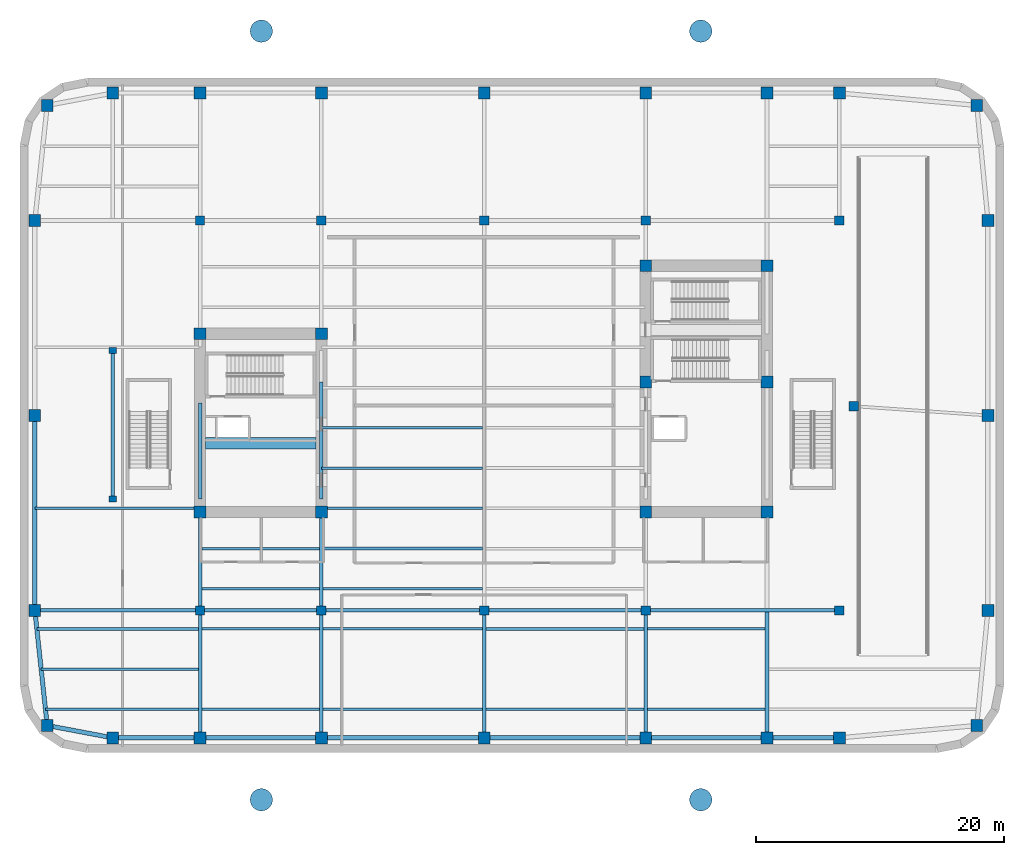
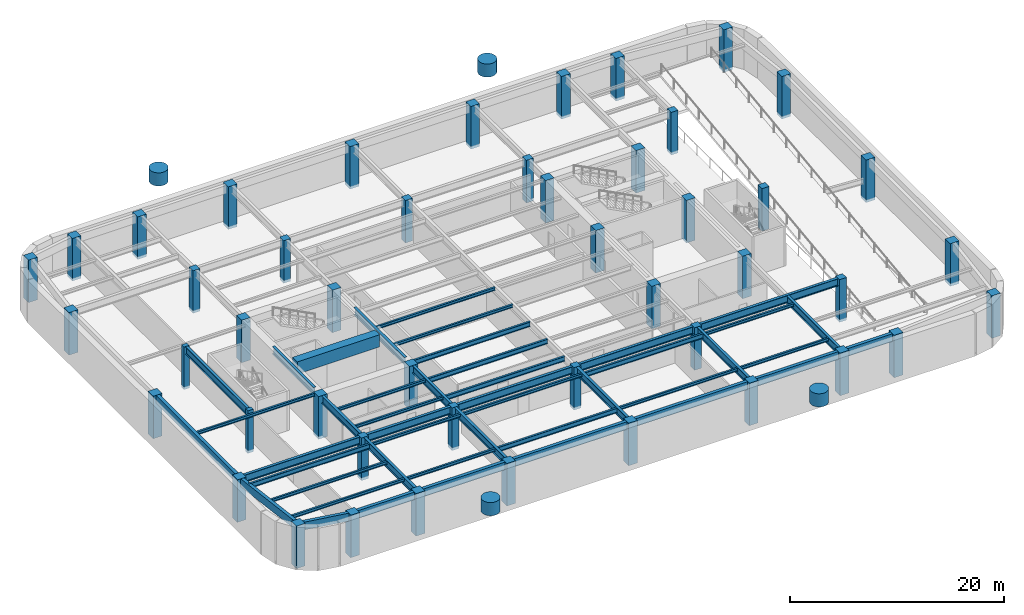
# One storey, part 1 of 12: 51 columns, 44 beams.
"""IFC4 building model written with IfcOpenShell, lengths in metres."""

from ifc_helpers import new_model, si_unit, direction, frame, origin, origin_2d, place, context, subcontext, project, spatial, rectangle, hollow_rectangle, circle, i_section, extrude, material, material_profile, profile_set, type_object, element, save


model = new_model("IFC4")

# Units and contexts
model_context = context("Model", 3, precision=1e-05, world=origin(), true_north=direction((0.0, 1.0)))
body_context = subcontext(model_context, "Body", "Model", "MODEL_VIEW")
ifc_project = project(units=[si_unit("LENGTHUNIT", "METRE"), si_unit("AREAUNIT", "SQUARE_METRE"), si_unit("VOLUMEUNIT", "CUBIC_METRE"), si_unit("PLANEANGLEUNIT", "RADIAN"), si_unit("MASSUNIT", "GRAM", prefix="KILO")], contexts=[model_context])

# Site, building, storey
site_placement = place(None, origin())
site = spatial("IfcSite", under=ifc_project, at=site_placement, CompositionType="ELEMENT")
building_placement = place(site_placement, origin())
building = spatial("IfcBuilding", under=site, at=building_placement, Name="Kolvaren Arena Tower", CompositionType="ELEMENT")
storey_placement = place(building_placement, frame((0.0, 0.0, -5.0)))
storey = spatial("IfcBuildingStorey", under=building, at=storey_placement, Name="B01", CompositionType="ELEMENT", Elevation=-5.0)

# Columns
ifc_material_1 = material(Name="Concrete 60 MPa", Category="concrete")
ifc_material_profile_1 = material_profile(ifc_material_1, rectangle(XDim=0.949951171875, YDim=0.949951171875, at=origin_2d()), Name="RC-950x950")
ifc_profile_set_1 = profile_set([ifc_material_profile_1], Name="Concrete 60 MPa")
column_type_1 = type_object("IfcColumnType", Name="PCOL-B1", PredefinedType="COLUMN", material=ifc_profile_set_1)
for number, where, z_axis, x_axis, name in (
    (1, (14.550048828125, 19.449951171875, -0.31005859375), (0.0, 0.0, 1.0), (1.0, 0.0, 0.0), "Core Boundary Column WC-SW (B01)"),
    (2, (24.35009765625, 19.449951171875, -0.31005859375), (0.0, 0.0, 1.0), (1.0, 0.0, 0.0), "Core Boundary Column WC-SE (B01)"),
    (3, (14.550048828125, 33.85009765625, -0.31005859375), (0.0, 0.0, 1.0), (1.0, 0.0, 0.0), "Core Boundary Column WC-NW (B01)"),
    (4, (24.35009765625, 33.85009765625, -0.31005859375), (0.0, 0.0, 1.0), (1.0, 0.0, 0.0), "Core Boundary Column WC-NE (B01)"),
    (5, (50.550048828125, 19.449951171875, -0.31005859375), (0.0, 0.0, 1.0), (1.0, 0.0, 0.0), "Core Boundary Column EC-SW (B01)"),
    (6, (60.35009765625, 19.449951171875, -0.31005859375), (0.0, 0.0, 1.0), (1.0, 0.0, 0.0), "Core Boundary Column EC-SE (B01)"),
    (7, (50.550048828125, 29.949951171875, -0.31005859375), (0.0, 0.0, 1.0), (1.0, 0.0, 0.0), "Core Boundary Column EC-MW (B01)"),
    (8, (60.35009765625, 29.949951171875, -0.31005859375), (0.0, 0.0, 1.0), (1.0, 0.0, 0.0), "Core Boundary Column EC-ME (B01)"),
    (9, (50.550048828125, 39.35009765625, -0.31005859375), (0.0, 0.0, 1.0), (1.0, 0.0, 0.0), "Core Boundary Column EC-NW (B01)"),
    (10, (60.35009765625, 39.35009765625, -0.31005859375), (0.0, 0.0, 1.0), (1.0, 0.0, 0.0), "Core Boundary Column EC-NE (B01)"),
    (11, (2.199951171875, 2.199951171875, -0.31005859375), (0.0, 0.0, 1.0), (1.0, 0.0, 0.0), "Podium Perimeter Column PS-C0 (B01)"),
    (12, (7.5, 1.199951171875, -0.31005859375), (0.0, 0.0, 1.0), (1.0, 0.0, 0.0), "Podium Perimeter Column PS-01 (B01)"),
    (13, (14.550048828125, 1.199951171875, -0.31005859375), (0.0, 0.0, 1.0), (1.0, 0.0, 0.0), "Podium Perimeter Column PS-02 (B01)"),
    (14, (24.35009765625, 1.199951171875, -0.31005859375), (0.0, 0.0, 1.0), (1.0, 0.0, 0.0), "Podium Perimeter Column PS-03 (B01)"),
    (15, (37.5, 1.199951171875, -0.31005859375), (0.0, 0.0, 1.0), (1.0, 0.0, 0.0), "Podium Perimeter Column PS-04 (B01)"),
    (16, (50.550048828125, 1.199951171875, -0.31005859375), (0.0, 0.0, 1.0), (1.0, 0.0, 0.0), "Podium Perimeter Column PS-05 (B01)"),
    (17, (60.35009765625, 1.199951171875, -0.31005859375), (0.0, 0.0, 1.0), (1.0, 0.0, 0.0), "Podium Perimeter Column PS-06 (B01)"),
    (18, (66.199951171875, 1.199951171875, -0.31005859375), (0.0, 0.0, 1.0), (1.0, 0.0, 0.0), "Podium Perimeter Column PS-07 (B01)"),
    (19, (77.300048828125, 2.199951171875, -0.31005859375), (0.0, 0.0, 1.0), (1.0, 0.0, 0.0), "Podium Perimeter Column PE-C0 (B01)"),
    (20, (78.199951171875, 11.5, -0.31005859375), (0.0, 0.0, 1.0), (1.0, 0.0, 0.0), "Podium Perimeter Column PE-01 (B01)"),
    (21, (78.199951171875, 27.25, -0.31005859375), (0.0, 0.0, 1.0), (1.0, 0.0, 0.0), "Podium Perimeter Column PE-02 (B01)"),
    (22, (78.199951171875, 43.0, -0.31005859375), (0.0, 0.0, 1.0), (1.0, 0.0, 0.0), "Podium Perimeter Column PE-03 (B01)"),
    (23, (77.300048828125, 52.300048828125, -0.31005859375), (0.0, 0.0, 1.0), (1.0, 0.0, 0.0), "Podium Perimeter Column PN-C1 (B01)"),
    (24, (66.199951171875, 53.300048828125, -0.31005859375), (0.0, 0.0, 1.0), (1.0, 0.0, 0.0), "Podium Perimeter Column PN-07 (B01)"),
    (25, (60.35009765625, 53.300048828125, -0.31005859375), (0.0, 0.0, 1.0), (1.0, 0.0, 0.0), "Podium Perimeter Column PN-06 (B01)"),
    (26, (50.550048828125, 53.300048828125, -0.31005859375), (0.0, 0.0, 1.0), (1.0, 0.0, 0.0), "Podium Perimeter Column PN-05 (B01)"),
    (27, (37.5, 53.300048828125, -0.31005859375), (0.0, 0.0, 1.0), (1.0, 0.0, 0.0), "Podium Perimeter Column PN-04 (B01)"),
    (28, (24.35009765625, 53.300048828125, -0.31005859375), (0.0, 0.0, 1.0), (1.0, 0.0, 0.0), "Podium Perimeter Column PN-03 (B01)"),
    (29, (14.550048828125, 53.300048828125, -0.31005859375), (0.0, 0.0, 1.0), (1.0, 0.0, 0.0), "Podium Perimeter Column PN-02 (B01)"),
    (30, (7.5, 53.300048828125, -0.31005859375), (0.0, 0.0, 1.0), (1.0, 0.0, 0.0), "Podium Perimeter Column PN-01 (B01)"),
    (31, (2.199951171875, 52.300048828125, -0.31005859375), (0.0, 0.0, 1.0), (1.0, 0.0, 0.0), "Podium Perimeter Column PN-C0 (B01)"),
    (32, (1.199951171875, 43.0, -0.31005859375), (0.0, 0.0, 1.0), (1.0, 0.0, 0.0), "Podium Perimeter Column PW-03 (B01)"),
    (33, (1.199951171875, 27.25, -0.31005859375), (0.0, 0.0, 1.0), (1.0, 0.0, 0.0), "Podium Perimeter Column PW-02 (B01)"),
    (34, (1.199951171875, 11.5, -0.31005859375), (0.0, 0.0, 1.0), (1.0, 0.0, 0.0), "Podium Perimeter Column PW-01 (B01)"),
):
    element("IfcColumn", number, at=place(storey_placement, frame(where, z_axis=z_axis, x_axis=x_axis)), inside=storey, type_object=column_type_1, Name=name, PredefinedType="COLUMN", context=body_context, shape_type="SweptSolid", body=[
        extrude(rectangle(XDim=0.949951171875, YDim=0.949951171875, at=origin_2d()), origin(), (0.0, 0.0, 1.0), 4.860107421875),
    ])
ifc_material_profile_2 = material_profile(ifc_material_1, rectangle(XDim=0.75, YDim=0.75, at=origin_2d()), Name="RC-750x750")
ifc_profile_set_2 = profile_set([ifc_material_profile_2], Name="Concrete 60 MPa")
column_type_2 = type_object("IfcColumnType", Name="PCOL-B2", PredefinedType="COLUMN", material=ifc_profile_set_2)
for number, where, z_axis, x_axis, name in (
    (35, (14.550048828125, 11.5, -0.31005859375), (0.0, 0.0, 1.0), (1.0, 0.0, 0.0), "Concourse Structural Column PB-S1 (B01)"),
    (36, (24.35009765625, 11.5, -0.31005859375), (0.0, 0.0, 1.0), (1.0, 0.0, 0.0), "Concourse Structural Column PB-S2 (B01)"),
    (37, (37.5, 11.5, -0.31005859375), (0.0, 0.0, 1.0), (1.0, 0.0, 0.0), "Concourse Structural Column PB-S3 (B01)"),
    (38, (50.550048828125, 11.5, -0.31005859375), (0.0, 0.0, 1.0), (1.0, 0.0, 0.0), "Concourse Structural Column PB-S4 (B01)"),
    (39, (66.199951171875, 11.5, -0.31005859375), (0.0, 0.0, 1.0), (1.0, 0.0, 0.0), "Concourse Structural Column PB-S5 (B01)"),
    (40, (14.550048828125, 43.0, -0.31005859375), (0.0, 0.0, 1.0), (1.0, 0.0, 0.0), "Concourse Structural Column PB-N1 (B01)"),
    (41, (24.35009765625, 43.0, -0.31005859375), (0.0, 0.0, 1.0), (1.0, 0.0, 0.0), "Concourse Structural Column PB-N2 (B01)"),
    (42, (37.5, 43.0, -0.31005859375), (0.0, 0.0, 1.0), (1.0, 0.0, 0.0), "Concourse Structural Column PB-N3 (B01)"),
    (43, (50.550048828125, 43.0, -0.31005859375), (0.0, 0.0, 1.0), (1.0, 0.0, 0.0), "Concourse Structural Column PB-N4 (B01)"),
    (44, (66.199951171875, 43.0, -0.31005859375), (0.0, 0.0, 1.0), (1.0, 0.0, 0.0), "Concourse Structural Column PB-N5 (B01)"),
    (45, (67.35009765625, 28.0, -0.31005859375), (0.0, 0.0, 1.0), (1.0, 0.0, 0.0), "Vehicle Ramp Mid-Span Column (B01)"),
):
    element("IfcColumn", number, at=place(storey_placement, frame(where, z_axis=z_axis, x_axis=x_axis)), inside=storey, type_object=column_type_2, Name=name, PredefinedType="COLUMN", context=body_context, shape_type="SweptSolid", body=[
        extrude(rectangle(XDim=0.75, YDim=0.75, at=origin_2d()), origin(), (0.0, 0.0, 1.0), 4.860107421875),
    ])
ifc_material_2 = material(Name="Precast concrete C50/60", Category="concrete")
ifc_material_profile_3 = material_profile(ifc_material_2, rectangle(XDim=0.60009765625, YDim=0.449951171875, at=origin_2d()), Name="RC-600x450")
ifc_profile_set_3 = profile_set([ifc_material_profile_3], Name="Precast concrete C50/60")
column_type_3 = type_object("IfcColumnType", Name="PIL-01", PredefinedType="PILASTER", material=ifc_profile_set_3)
for number, where, z_axis, x_axis, name in (
    (46, (7.5, 20.5, -0.31005859375), (0.0, 0.0, 1.0), (1.0, 0.0, 0.0), "Concourse Structural Pilaster 1 (B01)"),
    (47, (7.5, 32.5, -0.31005859375), (0.0, 0.0, 1.0), (1.0, 0.0, 0.0), "Concourse Structural Pilaster 2 (B01)"),
):
    element("IfcColumn", number, at=place(storey_placement, frame(where, z_axis=z_axis, x_axis=x_axis)), inside=storey, type_object=column_type_3, Name=name, PredefinedType="PILASTER", context=body_context, shape_type="SweptSolid", body=[
        extrude(rectangle(XDim=0.60009765625, YDim=0.449951171875, at=origin_2d()), origin(), (0.0, 0.0, 1.0), 4.860107421875),
    ])
ifc_material_3 = material(Name="Concrete 80 MPa", Category="concrete")
ifc_material_profile_4 = material_profile(ifc_material_3, circle(Radius=0.89990234375, at=origin_2d()), Name="RC-CIRC-1800")
ifc_profile_set_4 = profile_set([ifc_material_profile_4], Name="Concrete 80 MPa")
column_type_4 = type_object("IfcColumnType", Name="STILT-C2", PredefinedType="COLUMN", material=ifc_profile_set_4)
for number, where, z_axis, x_axis, name in (
    (48, (19.5, -3.800048828125, 3.5), (0.0, 0.0, 1.0), (1.0, 0.0, 0.0), "Frost-Depth Stilt Pedestal PF-S1"),
    (49, (55.0, -3.800048828125, 3.5), (0.0, 0.0, 1.0), (1.0, 0.0, 0.0), "Frost-Depth Stilt Pedestal PF-S2"),
    (50, (19.5, 58.300048828125, 3.5), (0.0, 0.0, 1.0), (1.0, 0.0, 0.0), "Frost-Depth Stilt Pedestal PF-N1"),
    (51, (55.0, 58.300048828125, 3.5), (0.0, 0.0, 1.0), (1.0, 0.0, 0.0), "Frost-Depth Stilt Pedestal PF-N2"),
):
    element("IfcColumn", number, at=place(storey_placement, frame(where, z_axis=z_axis, x_axis=x_axis)), inside=storey, type_object=column_type_4, Name=name, PredefinedType="COLUMN", context=body_context, shape_type="SweptSolid", body=[
        extrude(circle(Radius=0.89990234375, at=origin_2d()), origin(), (0.0, 0.0, 1.0), 1.5),
    ])

# Beams
ifc_material_4 = material(Name="Steel CSA G40.21 350W", Category="steel")
ifc_material_profile_5 = material_profile(ifc_material_4, i_section(OverallWidth=0.2119140625, OverallDepth=0.54296875, WebThickness=0.01318359375, FlangeThickness=0.0244140625, FilletRadius=0.013916015625, at=origin_2d()), Name="W530x150")
ifc_profile_set_5 = profile_set([ifc_material_profile_5], Name="Steel CSA G40.21 350W")
beam_type_1 = type_object("IfcBeamType", Name="BEAM-F1", PredefinedType="BEAM", material=ifc_profile_set_5)
beam_1_placement = place(storey_placement, frame((24.49609375, 3.5, 4.278564453125), z_axis=(1.0, 0.0, 0.0), x_axis=(0.0, 1.0, 0.0)))
element("IfcBeam", 52, at=beam_1_placement, inside=storey, type_object=beam_type_1, Name="Composite Floor Beam (B01)", PredefinedType="BEAM", context=body_context, shape_type="SweptSolid", body=[
    extrude(i_section(OverallWidth=0.2119140625, OverallDepth=0.54296875, WebThickness=0.01318359375, FlangeThickness=0.0244140625, FilletRadius=0.013916015625, at=origin_2d()), origin(), (0.0, 0.0, 1.0), 12.85791015625),
])
beam_2_placement = place(storey_placement, frame((1.361328125, 10.0, 4.278564453125), z_axis=(1.0, 0.0, 0.0), x_axis=(0.0, 1.0, 0.0)))
element("IfcBeam", 53, at=beam_2_placement, inside=storey, type_object=beam_type_1, Name="Composite Floor Beam (B01)", PredefinedType="BEAM", context=body_context, shape_type="SweptSolid", body=[
    extrude(i_section(OverallWidth=0.2119140625, OverallDepth=0.54296875, WebThickness=0.01318359375, FlangeThickness=0.0244140625, FilletRadius=0.013916015625, at=origin_2d()), origin(), (0.0, 0.0, 1.0), 13.042724609375),
])
beam_3_placement = place(storey_placement, frame((37.64599609375, 10.0, 4.278564453125), z_axis=(1.0, 0.0, 0.0), x_axis=(0.0, 1.0, 0.0)))
element("IfcBeam", 54, at=beam_3_placement, inside=storey, type_object=beam_type_1, Name="Composite Floor Beam (B01)", PredefinedType="BEAM", context=body_context, shape_type="SweptSolid", body=[
    extrude(i_section(OverallWidth=0.2119140625, OverallDepth=0.54296875, WebThickness=0.01318359375, FlangeThickness=0.0244140625, FilletRadius=0.013916015625, at=origin_2d()), origin(), (0.0, 0.0, 1.0), 12.758056640625),
])
for number, where, z_axis, x_axis, name in (
    (55, (24.49609375, 13.25, 4.278564453125), (1.0, 0.0, 0.0), (0.0, 1.0, 0.0), "Composite Floor Beam (B01)"),
    (56, (24.49609375, 16.5, 4.278564453125), (1.0, 0.0, 0.0), (0.0, 1.0, 0.0), "Composite Floor Beam (B01)"),
):
    element("IfcBeam", number, at=place(storey_placement, frame(where, z_axis=z_axis, x_axis=x_axis)), inside=storey, type_object=beam_type_1, Name=name, PredefinedType="BEAM", context=body_context, shape_type="SweptSolid", body=[
        extrude(i_section(OverallWidth=0.2119140625, OverallDepth=0.54296875, WebThickness=0.01318359375, FlangeThickness=0.0244140625, FilletRadius=0.013916015625, at=origin_2d()), origin(), (0.0, 0.0, 1.0), 12.85791015625),
    ])
beam_4_placement = place(storey_placement, frame((24.3701171875, 19.75, 4.278564453125), z_axis=(1.0, 0.0, 0.0), x_axis=(0.0, 1.0, 0.0)))
element("IfcBeam", 57, at=beam_4_placement, inside=storey, type_object=beam_type_1, Name="Composite Floor Beam (B01)", PredefinedType="BEAM", context=body_context, shape_type="SweptSolid", body=[
    extrude(i_section(OverallWidth=0.2119140625, OverallDepth=0.54296875, WebThickness=0.01318359375, FlangeThickness=0.0244140625, FilletRadius=0.013916015625, at=origin_2d()), origin(), (0.0, 0.0, 1.0), 12.98388671875),
])
ifc_material_5 = material(Name="Concrete 75 MPa", Category="concrete")
ifc_material_profile_6 = material_profile(ifc_material_5, rectangle(XDim=0.89990234375, YDim=1.39990234375, at=origin_2d()), Name="RC-900x1400")
ifc_profile_set_6 = profile_set([ifc_material_profile_6], Name="Concrete 75 MPa")
beam_type_2 = type_object("IfcBeamType", Name="CB-CORE-1", PredefinedType="BEAM", material=ifc_profile_set_6)
beam_5_placement = place(storey_placement, frame((15.0, 25.0, 4.1201171875), z_axis=(1.0, 0.0, 0.0), x_axis=(0.0, 1.0, 0.0)))
element("IfcBeam", 58, at=beam_5_placement, inside=storey, type_object=beam_type_2, Name="West Core Coupling Beam (B01)", PredefinedType="BEAM", context=body_context, shape_type="SweptSolid", body=[
    extrude(rectangle(XDim=0.89990234375, YDim=1.39990234375, at=origin_2d()), origin(), (0.0, 0.0, 1.0), 8.89990234375),
])
ifc_material_profile_7 = material_profile(ifc_material_4, i_section(OverallWidth=0.2919921875, OverallDepth=0.85498046875, WebThickness=0.02099609375, FlangeThickness=0.03564453125, FilletRadius=0.01806640625, at=origin_2d()), Name="W840x299")
ifc_profile_set_7 = profile_set([ifc_material_profile_7], Name="Steel CSA G40.21 350W")
beam_type_3 = type_object("IfcBeamType", Name="GIRD-P1", PredefinedType="BEAM", material=ifc_profile_set_7)
beam_6_placement = place(storey_placement, frame((1.199951171875, 11.5, 4.12255859375), z_axis=(1.0, 0.0, 0.0), x_axis=(0.0, 1.0, 0.0)))
element("IfcBeam", 59, at=beam_6_placement, inside=storey, type_object=beam_type_3, Name="Primary Floor Girder (B01)", PredefinedType="BEAM", context=body_context, shape_type="SweptSolid", body=[
    extrude(i_section(OverallWidth=0.2919921875, OverallDepth=0.85498046875, WebThickness=0.02099609375, FlangeThickness=0.03564453125, FilletRadius=0.01806640625, at=origin_2d()), origin(), (0.0, 0.0, 1.0), 13.35009765625),
])
beam_7_placement = place(storey_placement, frame((14.550048828125, 11.5, 4.12255859375), z_axis=(1.0, 0.0, 0.0), x_axis=(0.0, 1.0, 0.0)))
element("IfcBeam", 60, at=beam_7_placement, inside=storey, type_object=beam_type_3, Name="Primary Floor Girder (B01)", PredefinedType="BEAM", context=body_context, shape_type="SweptSolid", body=[
    extrude(i_section(OverallWidth=0.2919921875, OverallDepth=0.85498046875, WebThickness=0.02099609375, FlangeThickness=0.03564453125, FilletRadius=0.01806640625, at=origin_2d()), origin(), (0.0, 0.0, 1.0), 9.800048828125),
])
beam_8_placement = place(storey_placement, frame((24.35009765625, 11.5, 4.12255859375), z_axis=(1.0, 0.0, 0.0), x_axis=(0.0, 1.0, 0.0)))
element("IfcBeam", 61, at=beam_8_placement, inside=storey, type_object=beam_type_3, Name="Primary Floor Girder (B01)", PredefinedType="BEAM", context=body_context, shape_type="SweptSolid", body=[
    extrude(i_section(OverallWidth=0.2919921875, OverallDepth=0.85498046875, WebThickness=0.02099609375, FlangeThickness=0.03564453125, FilletRadius=0.01806640625, at=origin_2d()), origin(), (0.0, 0.0, 1.0), 13.14990234375),
])
beam_9_placement = place(storey_placement, frame((37.5, 11.5, 4.12255859375), z_axis=(1.0, 0.0, 0.0), x_axis=(0.0, 1.0, 0.0)))
element("IfcBeam", 62, at=beam_9_placement, inside=storey, type_object=beam_type_3, Name="Primary Floor Girder (B01)", PredefinedType="BEAM", context=body_context, shape_type="SweptSolid", body=[
    extrude(i_section(OverallWidth=0.2919921875, OverallDepth=0.85498046875, WebThickness=0.02099609375, FlangeThickness=0.03564453125, FilletRadius=0.01806640625, at=origin_2d()), origin(), (0.0, 0.0, 1.0), 13.050048828125),
])
beam_10_placement = place(storey_placement, frame((50.550048828125, 11.5, 4.12255859375), z_axis=(1.0, 0.0, 0.0), x_axis=(0.0, 1.0, 0.0)))
element("IfcBeam", 63, at=beam_10_placement, inside=storey, type_object=beam_type_3, Name="Primary Floor Girder (B01)", PredefinedType="BEAM", context=body_context, shape_type="SweptSolid", body=[
    extrude(i_section(OverallWidth=0.2919921875, OverallDepth=0.85498046875, WebThickness=0.02099609375, FlangeThickness=0.03564453125, FilletRadius=0.01806640625, at=origin_2d()), origin(), (0.0, 0.0, 1.0), 15.64990234375),
])
beam_11_placement = place(storey_placement, frame((7.5, 20.5, 4.12255859375), z_axis=(0.0, 1.0, 0.0), x_axis=(-1.0, 0.0, 0.0)))
element("IfcBeam", 64, at=beam_11_placement, inside=storey, type_object=beam_type_3, Name="Primary Floor Girder (B01)", PredefinedType="BEAM", context=body_context, shape_type="SweptSolid", body=[
    extrude(i_section(OverallWidth=0.2919921875, OverallDepth=0.85498046875, WebThickness=0.02099609375, FlangeThickness=0.03564453125, FilletRadius=0.01806640625, at=origin_2d()), origin(), (0.0, 0.0, 1.0), 12.0),
])
beam_12_placement = place(storey_placement, frame((14.550048828125, 1.199951171875, 4.12255859375), z_axis=(0.0, 1.0, 0.0), x_axis=(-1.0, 0.0, 0.0)))
element("IfcBeam", 65, at=beam_12_placement, inside=storey, type_object=beam_type_3, Name="Primary Floor Girder (B01)", PredefinedType="BEAM", context=body_context, shape_type="SweptSolid", body=[
    extrude(i_section(OverallWidth=0.2919921875, OverallDepth=0.85498046875, WebThickness=0.02099609375, FlangeThickness=0.03564453125, FilletRadius=0.01806640625, at=origin_2d()), origin(), (0.0, 0.0, 1.0), 10.300048828125),
])
beam_13_placement = place(storey_placement, frame((14.550048828125, 11.5, 4.12255859375), z_axis=(0.0, 1.0, 0.0), x_axis=(-1.0, 0.0, 0.0)))
element("IfcBeam", 66, at=beam_13_placement, inside=storey, type_object=beam_type_3, Name="Primary Floor Girder (B01)", PredefinedType="BEAM", context=body_context, shape_type="SweptSolid", body=[
    extrude(i_section(OverallWidth=0.2919921875, OverallDepth=0.85498046875, WebThickness=0.02099609375, FlangeThickness=0.03564453125, FilletRadius=0.01806640625, at=origin_2d()), origin(), (0.0, 0.0, 1.0), 7.949951171875),
])
beam_14_placement = place(storey_placement, frame((14.550048828125, 20.5, 4.12255859375), z_axis=(0.0, 1.0, 0.0), x_axis=(-1.0, 0.0, 0.0)))
element("IfcBeam", 67, at=beam_14_placement, inside=storey, type_object=beam_type_3, Name="Primary Floor Girder (B01)", PredefinedType="BEAM", context=body_context, shape_type="SweptSolid", body=[
    extrude(i_section(OverallWidth=0.2919921875, OverallDepth=0.85498046875, WebThickness=0.02099609375, FlangeThickness=0.03564453125, FilletRadius=0.01806640625, at=origin_2d()), origin(), (0.0, 0.0, 1.0), 7.739990234375),
])
beam_15_placement = place(storey_placement, frame((24.35009765625, 1.199951171875, 4.12255859375), z_axis=(0.0, 1.0, 0.0), x_axis=(-1.0, 0.0, 0.0)))
element("IfcBeam", 68, at=beam_15_placement, inside=storey, type_object=beam_type_3, Name="Primary Floor Girder (B01)", PredefinedType="BEAM", context=body_context, shape_type="SweptSolid", body=[
    extrude(i_section(OverallWidth=0.2919921875, OverallDepth=0.85498046875, WebThickness=0.02099609375, FlangeThickness=0.03564453125, FilletRadius=0.01806640625, at=origin_2d()), origin(), (0.0, 0.0, 1.0), 10.300048828125),
])
beam_16_placement = place(storey_placement, frame((24.35009765625, 11.5, 4.12255859375), z_axis=(0.0, 1.0, 0.0), x_axis=(-1.0, 0.0, 0.0)))
element("IfcBeam", 69, at=beam_16_placement, inside=storey, type_object=beam_type_3, Name="Primary Floor Girder (B01)", PredefinedType="BEAM", context=body_context, shape_type="SweptSolid", body=[
    extrude(i_section(OverallWidth=0.2919921875, OverallDepth=0.85498046875, WebThickness=0.02099609375, FlangeThickness=0.03564453125, FilletRadius=0.01806640625, at=origin_2d()), origin(), (0.0, 0.0, 1.0), 7.949951171875),
])
beam_17_placement = place(storey_placement, frame((24.35009765625, 20.5, 4.12255859375), z_axis=(0.0, 1.0, 0.0), x_axis=(-1.0, 0.0, 0.0)))
element("IfcBeam", 70, at=beam_17_placement, inside=storey, type_object=beam_type_3, Name="Primary Floor Girder (B01)", PredefinedType="BEAM", context=body_context, shape_type="SweptSolid", body=[
    extrude(i_section(OverallWidth=0.2919921875, OverallDepth=0.85498046875, WebThickness=0.02099609375, FlangeThickness=0.03564453125, FilletRadius=0.01806640625, at=origin_2d()), origin(), (0.0, 0.0, 1.0), 9.449951171875),
])
for number, where, z_axis, x_axis, name in (
    (71, (37.5, 1.199951171875, 4.12255859375), (0.0, 1.0, 0.0), (-1.0, 0.0, 0.0), "Primary Floor Girder (B01)"),
    (72, (50.550048828125, 1.199951171875, 4.12255859375), (0.0, 1.0, 0.0), (-1.0, 0.0, 0.0), "Primary Floor Girder (B01)"),
):
    element("IfcBeam", number, at=place(storey_placement, frame(where, z_axis=z_axis, x_axis=x_axis)), inside=storey, type_object=beam_type_3, Name=name, PredefinedType="BEAM", context=body_context, shape_type="SweptSolid", body=[
        extrude(i_section(OverallWidth=0.2919921875, OverallDepth=0.85498046875, WebThickness=0.02099609375, FlangeThickness=0.03564453125, FilletRadius=0.01806640625, at=origin_2d()), origin(), (0.0, 0.0, 1.0), 10.300048828125),
    ])
beam_18_placement = place(storey_placement, frame((60.35009765625, 1.199951171875, 4.12255859375), z_axis=(0.0, 1.0, 0.0), x_axis=(-1.0, 0.0, 0.0)))
element("IfcBeam", 73, at=beam_18_placement, inside=storey, type_object=beam_type_3, Name="Primary Floor Girder (B01)", PredefinedType="BEAM", context=body_context, shape_type="SweptSolid", body=[
    extrude(i_section(OverallWidth=0.2919921875, OverallDepth=0.85498046875, WebThickness=0.02099609375, FlangeThickness=0.03564453125, FilletRadius=0.01806640625, at=origin_2d()), origin(), (0.0, 0.0, 1.0), 10.154052734375),
])
ifc_material_profile_8 = material_profile(ifc_material_4, i_section(OverallWidth=0.202880859375, OverallDepth=0.346923828125, WebThickness=0.0078125, FlangeThickness=0.013427734375, FilletRadius=0.010986328125, at=origin_2d()), Name="W360x64")
ifc_profile_set_8 = profile_set([ifc_material_profile_8], Name="Steel CSA G40.21 350W")
beam_type_4 = type_object("IfcBeamType", Name="JOIST-01", PredefinedType="JOIST", material=ifc_profile_set_8)
beam_19_placement = place(storey_placement, frame((2.060302734375, 3.5, 4.37646484375), z_axis=(1.0, 0.0, 0.0), x_axis=(0.0, 1.0, 0.0)))
element("IfcBeam", 74, at=beam_19_placement, inside=storey, type_object=beam_type_4, Name="Composite Floor Joist (B01)", PredefinedType="JOIST", context=body_context, shape_type="SweptSolid", body=[
    extrude(i_section(OverallWidth=0.202880859375, OverallDepth=0.346923828125, WebThickness=0.0078125, FlangeThickness=0.013427734375, FilletRadius=0.010986328125, at=origin_2d()), origin(), (0.0, 0.0, 1.0), 12.34375),
])
beam_20_placement = place(storey_placement, frame((14.696044921875, 3.5, 4.37646484375), z_axis=(1.0, 0.0, 0.0), x_axis=(0.0, 1.0, 0.0)))
element("IfcBeam", 75, at=beam_20_placement, inside=storey, type_object=beam_type_4, Name="Composite Floor Joist (B01)", PredefinedType="JOIST", context=body_context, shape_type="SweptSolid", body=[
    extrude(i_section(OverallWidth=0.202880859375, OverallDepth=0.346923828125, WebThickness=0.0078125, FlangeThickness=0.013427734375, FilletRadius=0.010986328125, at=origin_2d()), origin(), (0.0, 0.0, 1.0), 9.508056640625),
])
beam_21_placement = place(storey_placement, frame((37.64599609375, 3.5, 4.37646484375), z_axis=(1.0, 0.0, 0.0), x_axis=(0.0, 1.0, 0.0)))
element("IfcBeam", 76, at=beam_21_placement, inside=storey, type_object=beam_type_4, Name="Composite Floor Joist (B01)", PredefinedType="JOIST", context=body_context, shape_type="SweptSolid", body=[
    extrude(i_section(OverallWidth=0.202880859375, OverallDepth=0.346923828125, WebThickness=0.0078125, FlangeThickness=0.013427734375, FilletRadius=0.010986328125, at=origin_2d()), origin(), (0.0, 0.0, 1.0), 12.758056640625),
])
beam_22_placement = place(storey_placement, frame((50.696044921875, 3.5, 4.37646484375), z_axis=(1.0, 0.0, 0.0), x_axis=(0.0, 1.0, 0.0)))
element("IfcBeam", 77, at=beam_22_placement, inside=storey, type_object=beam_type_4, Name="Composite Floor Joist (B01)", PredefinedType="JOIST", context=body_context, shape_type="SweptSolid", body=[
    extrude(i_section(OverallWidth=0.202880859375, OverallDepth=0.346923828125, WebThickness=0.0078125, FlangeThickness=0.013427734375, FilletRadius=0.010986328125, at=origin_2d()), origin(), (0.0, 0.0, 1.0), 9.508056640625),
])
beam_23_placement = place(storey_placement, frame((1.710693359375, 6.75, 4.37646484375), z_axis=(1.0, 0.0, 0.0), x_axis=(0.0, 1.0, 0.0)))
element("IfcBeam", 78, at=beam_23_placement, inside=storey, type_object=beam_type_4, Name="Composite Floor Joist (B01)", PredefinedType="JOIST", context=body_context, shape_type="SweptSolid", body=[
    extrude(i_section(OverallWidth=0.202880859375, OverallDepth=0.346923828125, WebThickness=0.0078125, FlangeThickness=0.013427734375, FilletRadius=0.010986328125, at=origin_2d()), origin(), (0.0, 0.0, 1.0), 12.693359375),
])
beam_24_placement = place(storey_placement, frame((14.696044921875, 10.0, 4.37646484375), z_axis=(1.0, 0.0, 0.0), x_axis=(0.0, 1.0, 0.0)))
element("IfcBeam", 79, at=beam_24_placement, inside=storey, type_object=beam_type_4, Name="Composite Floor Joist (B01)", PredefinedType="JOIST", context=body_context, shape_type="SweptSolid", body=[
    extrude(i_section(OverallWidth=0.202880859375, OverallDepth=0.346923828125, WebThickness=0.0078125, FlangeThickness=0.013427734375, FilletRadius=0.010986328125, at=origin_2d()), origin(), (0.0, 0.0, 1.0), 9.508056640625),
])
beam_25_placement = place(storey_placement, frame((24.49609375, 10.0, 4.37646484375), z_axis=(1.0, 0.0, 0.0), x_axis=(0.0, 1.0, 0.0)))
element("IfcBeam", 80, at=beam_25_placement, inside=storey, type_object=beam_type_4, Name="Composite Floor Joist (B01)", PredefinedType="JOIST", context=body_context, shape_type="SweptSolid", body=[
    extrude(i_section(OverallWidth=0.202880859375, OverallDepth=0.346923828125, WebThickness=0.0078125, FlangeThickness=0.013427734375, FilletRadius=0.010986328125, at=origin_2d()), origin(), (0.0, 0.0, 1.0), 12.85791015625),
])
for number, where, z_axis, x_axis, name in (
    (81, (50.696044921875, 10.0, 4.37646484375), (1.0, 0.0, 0.0), (0.0, 1.0, 0.0), "Composite Floor Joist (B01)"),
    (82, (14.696044921875, 13.25, 4.37646484375), (1.0, 0.0, 0.0), (0.0, 1.0, 0.0), "Composite Floor Joist (B01)"),
    (83, (14.696044921875, 16.5, 4.37646484375), (1.0, 0.0, 0.0), (0.0, 1.0, 0.0), "Composite Floor Joist (B01)"),
):
    element("IfcBeam", number, at=place(storey_placement, frame(where, z_axis=z_axis, x_axis=x_axis)), inside=storey, type_object=beam_type_4, Name=name, PredefinedType="JOIST", context=body_context, shape_type="SweptSolid", body=[
        extrude(i_section(OverallWidth=0.202880859375, OverallDepth=0.346923828125, WebThickness=0.0078125, FlangeThickness=0.013427734375, FilletRadius=0.010986328125, at=origin_2d()), origin(), (0.0, 0.0, 1.0), 9.508056640625),
    ])
beam_26_placement = place(storey_placement, frame((1.199951171875, 19.75, 4.37646484375), z_axis=(1.0, 0.0, 0.0), x_axis=(0.0, 1.0, 0.0)))
element("IfcBeam", 84, at=beam_26_placement, inside=storey, type_object=beam_type_4, Name="Composite Floor Joist (B01)", PredefinedType="JOIST", context=body_context, shape_type="SweptSolid", body=[
    extrude(i_section(OverallWidth=0.202880859375, OverallDepth=0.346923828125, WebThickness=0.0078125, FlangeThickness=0.013427734375, FilletRadius=0.010986328125, at=origin_2d()), origin(), (0.0, 0.0, 1.0), 13.330078125),
])
for number, where, z_axis, x_axis, name in (
    (85, (24.3701171875, 23.0, 4.37646484375), (1.0, 0.0, 0.0), (0.0, 1.0, 0.0), "Composite Floor Joist (B01)"),
    (86, (24.3701171875, 26.25, 4.37646484375), (1.0, 0.0, 0.0), (0.0, 1.0, 0.0), "Composite Floor Joist (B01)"),
):
    element("IfcBeam", number, at=place(storey_placement, frame(where, z_axis=z_axis, x_axis=x_axis)), inside=storey, type_object=beam_type_4, Name=name, PredefinedType="JOIST", context=body_context, shape_type="SweptSolid", body=[
        extrude(i_section(OverallWidth=0.202880859375, OverallDepth=0.346923828125, WebThickness=0.0078125, FlangeThickness=0.013427734375, FilletRadius=0.010986328125, at=origin_2d()), origin(), (0.0, 0.0, 1.0), 12.98388671875),
    ])
ifc_material_6 = material(Name="Steel CSA G40.21 350WT", Category="steel")
ifc_material_profile_9 = material_profile(ifc_material_6, hollow_rectangle(XDim=0.35009765625, YDim=0.89990234375, WallThickness=0.02001953125, at=origin_2d()), Name="HSS 900x350x20")
ifc_profile_set_9 = profile_set([ifc_material_profile_9], Name="Steel CSA G40.21 350WT")
beam_type_5 = type_object("IfcBeamType", Name="SPAND-01", PredefinedType="SPANDREL", material=ifc_profile_set_9)
beam_27_placement = place(storey_placement, frame((2.199951171875, 2.199951171875, 4.10009765625), z_axis=(0.982661964955, -0.185406209796, 0.0), x_axis=(0.185406209796, 0.982661964955, 0.0)))
element("IfcBeam", 87, at=beam_27_placement, inside=storey, type_object=beam_type_5, Name="Perimeter Spandrel Beam (B01)", PredefinedType="SPANDREL", context=body_context, shape_type="SweptSolid", body=[
    extrude(hollow_rectangle(XDim=0.35009765625, YDim=0.89990234375, WallThickness=0.02001953125, at=origin_2d()), origin(), (0.0, 0.0, 1.0), 5.3935546875),
])
beam_28_placement = place(storey_placement, frame((7.5, 1.199951171875, 4.10009765625), z_axis=(1.0, 0.0, 0.0), x_axis=(0.0, 1.0, 0.0)))
element("IfcBeam", 88, at=beam_28_placement, inside=storey, type_object=beam_type_5, Name="Perimeter Spandrel Beam (B01)", PredefinedType="SPANDREL", context=body_context, shape_type="SweptSolid", body=[
    extrude(hollow_rectangle(XDim=0.35009765625, YDim=0.89990234375, WallThickness=0.02001953125, at=origin_2d()), origin(), (0.0, 0.0, 1.0), 7.050048828125),
])
beam_29_placement = place(storey_placement, frame((14.550048828125, 1.199951171875, 4.10009765625), z_axis=(1.0, 0.0, 0.0), x_axis=(0.0, 1.0, 0.0)))
element("IfcBeam", 89, at=beam_29_placement, inside=storey, type_object=beam_type_5, Name="Perimeter Spandrel Beam (B01)", PredefinedType="SPANDREL", context=body_context, shape_type="SweptSolid", body=[
    extrude(hollow_rectangle(XDim=0.35009765625, YDim=0.89990234375, WallThickness=0.02001953125, at=origin_2d()), origin(), (0.0, 0.0, 1.0), 9.800048828125),
])
beam_30_placement = place(storey_placement, frame((24.35009765625, 1.199951171875, 4.10009765625), z_axis=(1.0, 0.0, 0.0), x_axis=(0.0, 1.0, 0.0)))
element("IfcBeam", 90, at=beam_30_placement, inside=storey, type_object=beam_type_5, Name="Perimeter Spandrel Beam (B01)", PredefinedType="SPANDREL", context=body_context, shape_type="SweptSolid", body=[
    extrude(hollow_rectangle(XDim=0.35009765625, YDim=0.89990234375, WallThickness=0.02001953125, at=origin_2d()), origin(), (0.0, 0.0, 1.0), 13.14990234375),
])
beam_31_placement = place(storey_placement, frame((37.5, 1.199951171875, 4.10009765625), z_axis=(1.0, 0.0, 0.0), x_axis=(0.0, 1.0, 0.0)))
element("IfcBeam", 91, at=beam_31_placement, inside=storey, type_object=beam_type_5, Name="Perimeter Spandrel Beam (B01)", PredefinedType="SPANDREL", context=body_context, shape_type="SweptSolid", body=[
    extrude(hollow_rectangle(XDim=0.35009765625, YDim=0.89990234375, WallThickness=0.02001953125, at=origin_2d()), origin(), (0.0, 0.0, 1.0), 13.050048828125),
])
beam_32_placement = place(storey_placement, frame((50.550048828125, 1.199951171875, 4.10009765625), z_axis=(1.0, 0.0, 0.0), x_axis=(0.0, 1.0, 0.0)))
element("IfcBeam", 92, at=beam_32_placement, inside=storey, type_object=beam_type_5, Name="Perimeter Spandrel Beam (B01)", PredefinedType="SPANDREL", context=body_context, shape_type="SweptSolid", body=[
    extrude(hollow_rectangle(XDim=0.35009765625, YDim=0.89990234375, WallThickness=0.02001953125, at=origin_2d()), origin(), (0.0, 0.0, 1.0), 9.800048828125),
])
beam_33_placement = place(storey_placement, frame((60.35009765625, 1.199951171875, 4.10009765625), z_axis=(1.0, 0.0, 0.0), x_axis=(0.0, 1.0, 0.0)))
element("IfcBeam", 93, at=beam_33_placement, inside=storey, type_object=beam_type_5, Name="Perimeter Spandrel Beam (B01)", PredefinedType="SPANDREL", context=body_context, shape_type="SweptSolid", body=[
    extrude(hollow_rectangle(XDim=0.35009765625, YDim=0.89990234375, WallThickness=0.02001953125, at=origin_2d()), origin(), (0.0, 0.0, 1.0), 5.849853515625),
])
beam_34_placement = place(storey_placement, frame((1.199951171875, 27.25, 4.10009765625), z_axis=(0.0, -1.0, 0.0), x_axis=(1.0, 0.0, 0.0)))
element("IfcBeam", 94, at=beam_34_placement, inside=storey, type_object=beam_type_5, Name="Perimeter Spandrel Beam (B01)", PredefinedType="SPANDREL", context=body_context, shape_type="SweptSolid", body=[
    extrude(hollow_rectangle(XDim=0.35009765625, YDim=0.89990234375, WallThickness=0.02001953125, at=origin_2d()), origin(), (0.0, 0.0, 1.0), 15.75),
])
beam_35_placement = place(storey_placement, frame((1.199951171875, 11.5, 4.10009765625), z_axis=(0.106910051219, -0.994268696555, 0.0), x_axis=(0.994268696555, 0.106910051219, 0.0)))
element("IfcBeam", 95, at=beam_35_placement, inside=storey, type_object=beam_type_5, Name="Perimeter Spandrel Beam (B01)", PredefinedType="SPANDREL", context=body_context, shape_type="SweptSolid", body=[
    extrude(hollow_rectangle(XDim=0.35009765625, YDim=0.89990234375, WallThickness=0.02001953125, at=origin_2d()), origin(), (0.0, 0.0, 1.0), 9.353759765625),
])

save(model, "model.ifc")
